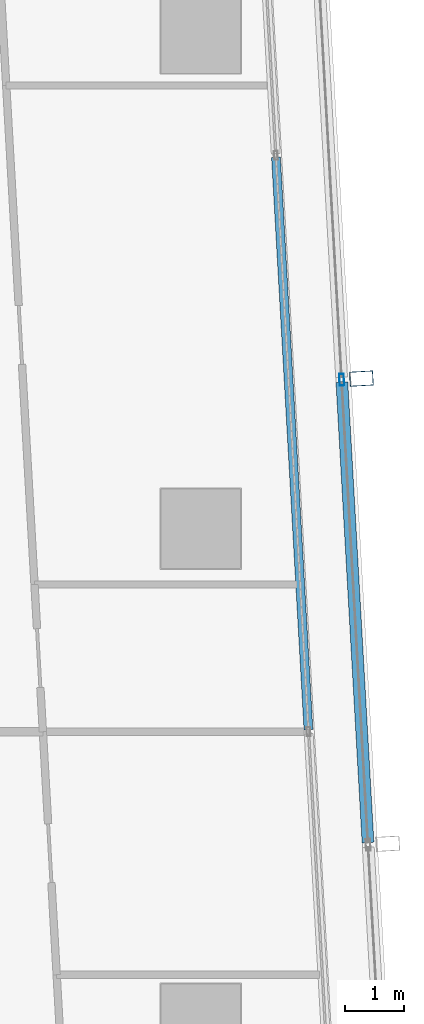
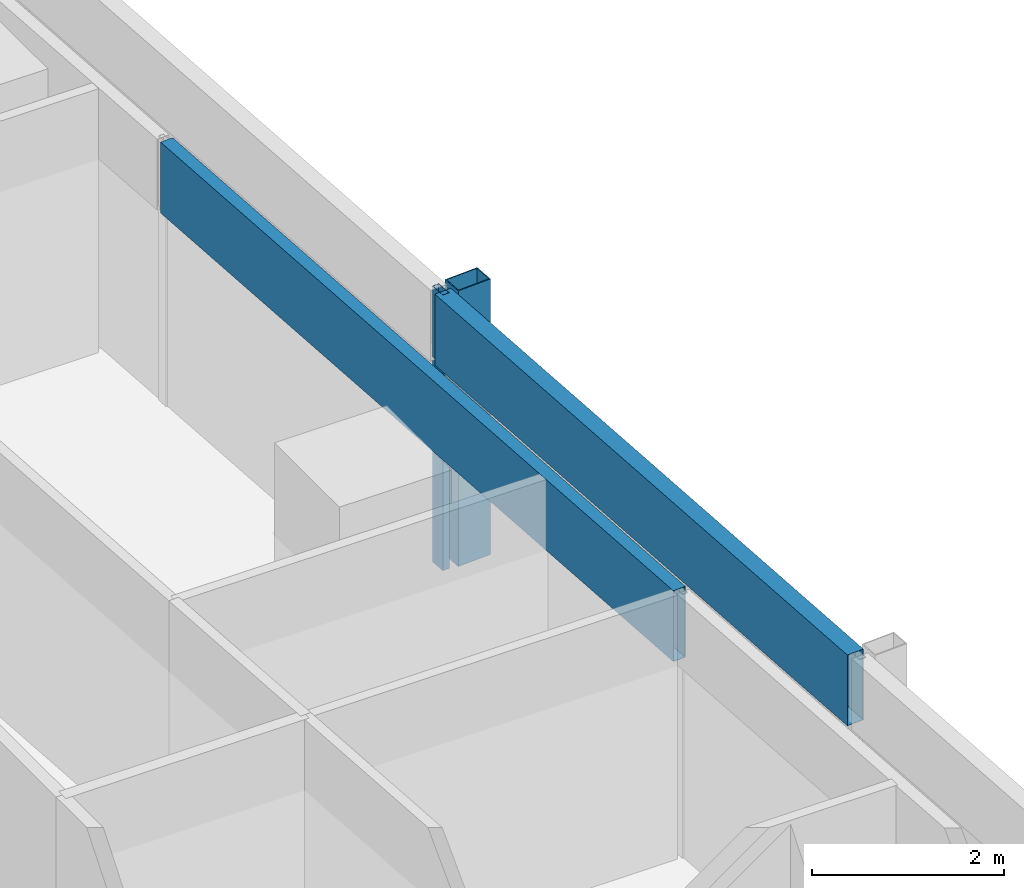
# One storey, part 15 of 39: 4 members, 2 elements without a shape of their own.
"""IFC4 building model written with IfcOpenShell, lengths in metres."""

from ifc_helpers import new_model, si_unit, direction, frame, origin, origin_2d, place, context, subcontext, project, spatial, hollow_rectangle, extrude, material, material_profile, profile_set, type_object, element, aggregate, save


model = new_model("IFC4")

# Units and contexts
model_context = context("Model", 3, precision=1e-05, world=origin(), true_north=direction((0.0, 1.0)))
body_context = subcontext(model_context, "Body", "Model", "MODEL_VIEW")
ifc_project = project(units=[si_unit("LENGTHUNIT", "METRE"), si_unit("AREAUNIT", "SQUARE_METRE"), si_unit("VOLUMEUNIT", "CUBIC_METRE"), si_unit("PLANEANGLEUNIT", "RADIAN"), si_unit("MASSUNIT", "GRAM", prefix="KILO")], contexts=[model_context])

# Site, building, storey
site_placement = place(None, origin())
site = spatial("IfcSite", under=ifc_project, at=site_placement, CompositionType="ELEMENT")
building_placement = place(site_placement, origin())
building = spatial("IfcBuilding", under=site, at=building_placement, Name="Rekha Terrace Tower", CompositionType="ELEMENT")
storey_placement = place(building_placement, frame((0.0, 0.0, 187.699951171875)))
storey = spatial("IfcBuildingStorey", under=building, at=storey_placement, Name="L47", CompositionType="ELEMENT", Elevation=187.699951171875)

# Curtain wall, member
ifc_material_1 = material(Name="Aluminium framing", Category="aluminium")
curtain_wall_type_1 = type_object("IfcCurtainWallType", Name="CW2 double skin outer glazing", PredefinedType="USERDEFINED", material=ifc_material_1)
curtain_wall_1_placement = place(storey_placement, origin())
curtain_wall_1 = element("IfcCurtainWall", 1, at=curtain_wall_1_placement, inside=storey, type_object=curtain_wall_type_1, Name="CW2 double skin outer glazing", ObjectType="DOUBLE SKIN OUTER GLAZING", PredefinedType="USERDEFINED")
ifc_material_2 = material(Name="Steel S355 with fluorocarbon finish", Category="steel")
ifc_material_profile_1 = material_profile(ifc_material_2, hollow_rectangle(XDim=0.25, YDim=0.39990234375, WallThickness=0.012451171875, at=origin_2d()), Name="RHS400x250x12.5")
ifc_profile_set_1 = profile_set([ifc_material_profile_1], Name="Steel S355 with fluorocarbon finish")
member_type_1 = type_object("IfcMemberType", Name="BL1 facade blade RHS 400 x 250", PredefinedType="USERDEFINED", material=ifc_profile_set_1)
member_1_placement = place(storey_placement, frame((61.528076171875, 44.546630859375, 0.0), z_axis=(0.0, 0.0, 1.0), x_axis=(-0.056673619809, 0.998392758797, 0.0)))
member_1 = element("IfcMember", 2, at=member_1_placement, type_object=member_type_1, Name="Facade blade", ObjectType="FACADE BLADE", PredefinedType="USERDEFINED", context=body_context, shape_type="SweptSolid", body=[
    extrude(hollow_rectangle(XDim=0.25, YDim=0.39990234375, WallThickness=0.012451171875, at=origin_2d()), origin(), (0.0, 0.0, 1.0), 3.5),
])

curtain_wall_type_2 = type_object("IfcCurtainWallType", Name="CW1 double skin inner glazing", PredefinedType="USERDEFINED", material=ifc_material_1)
curtain_wall_2_placement = place(storey_placement, origin())
curtain_wall_2 = element("IfcCurtainWall", 3, at=curtain_wall_2_placement, inside=storey, type_object=curtain_wall_type_2, Name="CW1 double skin inner glazing", ObjectType="DOUBLE SKIN INNER GLAZING", PredefinedType="USERDEFINED")
ifc_material_3 = material(Name="Insulated aluminium spandrel box", Category="aluminium")
ifc_material_profile_2 = material_profile(ifc_material_3, hollow_rectangle(XDim=0.14990234375, YDim=0.89990234375, WallThickness=0.0029296875, at=origin_2d()), Name="AL SPANDREL BOX 150x900")
ifc_profile_set_2 = profile_set([ifc_material_profile_2], Name="Insulated aluminium spandrel box")
member_type_2 = type_object("IfcMemberType", Name="CW1 spandrel transom 150 x 900", PredefinedType="USERDEFINED", material=ifc_profile_set_2)
member_2_placement = place(storey_placement, frame((60.629150390625, 38.588134765625, 3.050048828125), z_axis=(-0.056650211304, 0.998394087302, 0.0), x_axis=(-0.998394087302, -0.056650211304, 0.0)))
member_2 = element("IfcMember", 4, at=member_2_placement, type_object=member_type_2, Name="CW1 spandrel transom 2", ObjectType="TRANSOM", PredefinedType="USERDEFINED", context=body_context, shape_type="SweptSolid", body=[
    extrude(hollow_rectangle(XDim=0.14990234375, YDim=0.89990234375, WallThickness=0.0029296875, at=origin_2d()), origin(), (0.0, 0.0, 1.0), 9.726806640625),
])
aggregate(curtain_wall_2, [member_2])

# Member
ifc_material_4 = material(Name="Aluminium mullion section", Category="aluminium")
ifc_material_profile_3 = material_profile(ifc_material_4, hollow_rectangle(XDim=0.080078125, YDim=0.199951171875, WallThickness=0.00390625, at=origin_2d()), Name="AL RHS 80x200")
ifc_profile_set_3 = profile_set([ifc_material_profile_3], Name="Aluminium mullion section")
member_type_3 = type_object("IfcMemberType", Name="CW2 mullion RHS 80 x 200", PredefinedType="MULLION", material=ifc_profile_set_3)
member_3_placement = place(storey_placement, frame((61.193603515625, 44.527587890625, 0.0), z_axis=(0.0, 0.0, 1.0), x_axis=(-0.998392782919, -0.05667319486, 0.0)))
member_3 = element("IfcMember", 5, at=member_3_placement, type_object=member_type_3, Name="CW2 mullion 3", PredefinedType="MULLION", context=body_context, shape_type="SweptSolid", body=[
    extrude(hollow_rectangle(XDim=0.080078125, YDim=0.199951171875, WallThickness=0.00390625, at=origin_2d()), origin(), (0.0, 0.0, 1.0), 3.5),
])

ifc_material_profile_4 = material_profile(ifc_material_3, hollow_rectangle(XDim=0.199951171875, YDim=0.89990234375, WallThickness=0.0029296875, at=origin_2d()), Name="AL SPANDREL BOX 200x900")
ifc_profile_set_4 = profile_set([ifc_material_profile_4], Name="Insulated aluminium spandrel box")
member_type_4 = type_object("IfcMemberType", Name="CW2 spandrel transom 200 x 900", PredefinedType="USERDEFINED", material=ifc_profile_set_4)
member_4_placement = place(storey_placement, frame((61.63916015625, 36.6767578125, 3.050048828125), z_axis=(-0.056669428082, 0.998392996731, 0.0), x_axis=(-0.998392996731, -0.056669428082, 0.0)))
member_4 = element("IfcMember", 6, at=member_4_placement, type_object=member_type_4, Name="CW2 spandrel transom 2", ObjectType="TRANSOM", PredefinedType="USERDEFINED", context=body_context, shape_type="SweptSolid", body=[
    extrude(hollow_rectangle(XDim=0.199951171875, YDim=0.89990234375, WallThickness=0.0029296875, at=origin_2d()), origin(), (0.0, 0.0, 1.0), 7.823486328125),
])

aggregate(curtain_wall_1, [member_3, member_4, member_1])

save(model, "model.ifc")
